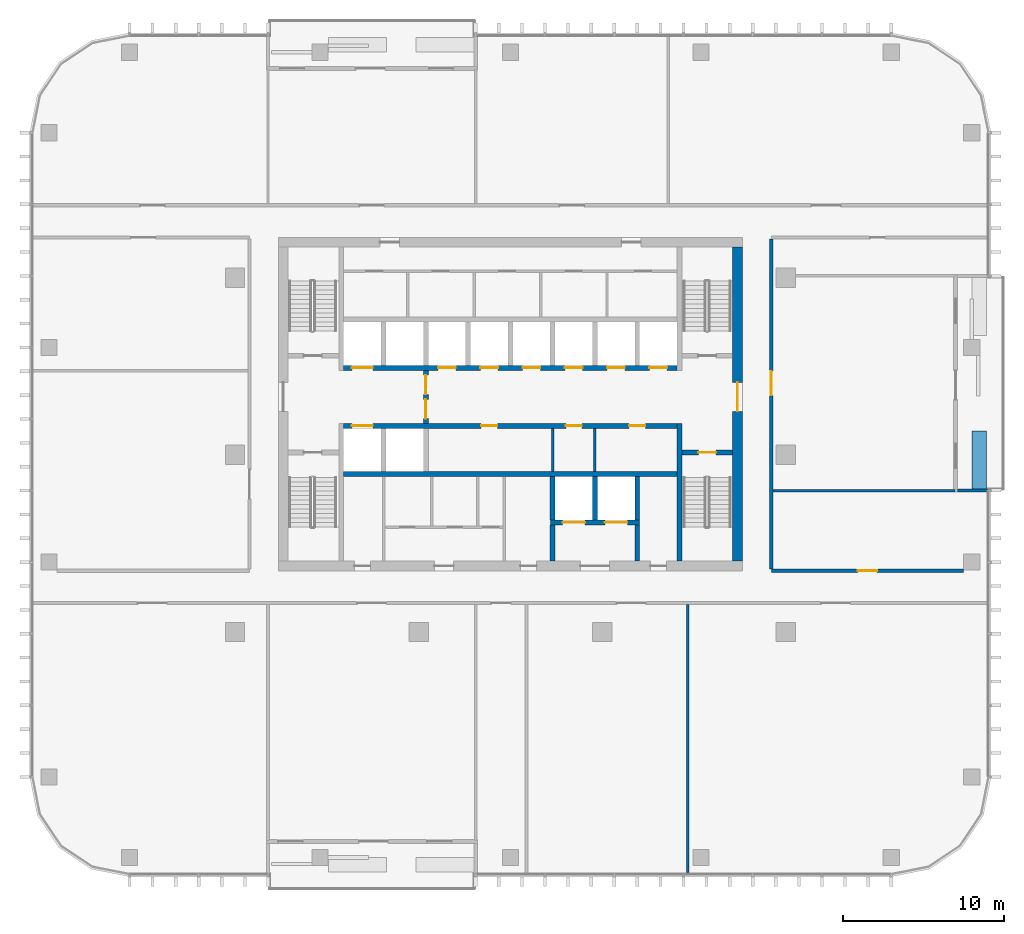
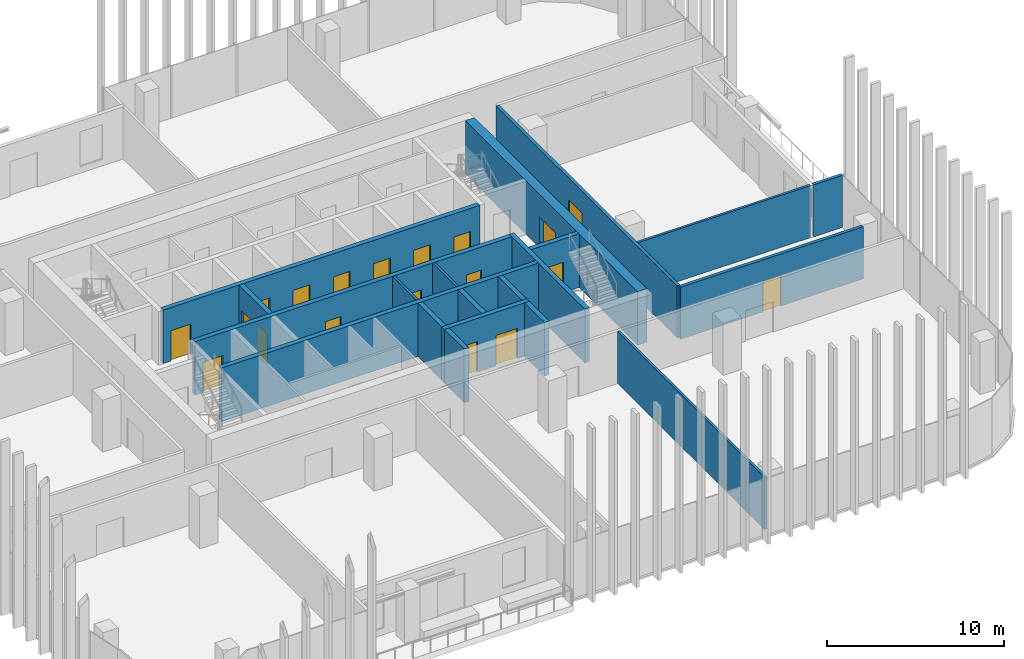
# One storey, part 8 of 16: 21 walls, 19 doors, 19 openings.
"""IFC4 building model written with IfcOpenShell, lengths in metres."""

from ifc_helpers import new_model, si_unit, direction, frame, frame_2d, origin, place, context, subcontext, project, spatial, rectangle, extrude, material, layer, layer_set, type_object, element, fill, save


model = new_model("IFC4")

# Units and contexts
model_context = context("Model", 3, precision=1e-05, world=origin(), true_north=direction((0.0, 1.0)))
body_context = subcontext(model_context, "Body", "Model", "MODEL_VIEW")
ifc_project = project(units=[si_unit("LENGTHUNIT", "METRE"), si_unit("AREAUNIT", "SQUARE_METRE"), si_unit("VOLUMEUNIT", "CUBIC_METRE"), si_unit("PLANEANGLEUNIT", "RADIAN"), si_unit("MASSUNIT", "GRAM", prefix="KILO")], contexts=[model_context])

# Site, building, storey
site_placement = place(None, origin())
site = spatial("IfcSite", under=ifc_project, at=site_placement, CompositionType="ELEMENT")
building_placement = place(site_placement, origin())
building = spatial("IfcBuilding", under=site, at=building_placement, Name="Mopane Tessera Tower", CompositionType="ELEMENT")
storey_placement = place(building_placement, frame((0.0, 0.0, 291.39990234375)))
storey = spatial("IfcBuildingStorey", under=building, at=storey_placement, Name="L63", CompositionType="ELEMENT", Elevation=291.39990234375)

# Walls
ifc_material_1 = material(Name="Fire-rated gypsum board partition")
ifc_layer_1 = layer(ifc_material_1, 0.14990234375)
ifc_layer_set_1 = layer_set([ifc_layer_1], Name="Fire-rated gypsum board partition")
wall_type_1 = type_object("IfcWallType", Name="Core room partition 150 mm", PredefinedType="PARTITIONING", material=ifc_layer_set_1)
for number, where, z_axis, x_axis, name in (
    (1, (2.625, -1.050048828125, 0.0), (0.0, 0.0, 1.0), (0.0, 1.0, 0.0), "L63 Room partition"),
    (2, (5.25, -1.050048828125, 0.0), (0.0, 0.0, 1.0), (0.0, 1.0, 0.0), "L63 Room partition"),
):
    element("IfcWall", number, at=place(storey_placement, frame(where, z_axis=z_axis, x_axis=x_axis)), inside=storey, type_object=wall_type_1, Name=name, PredefinedType="PARTITIONING", context=body_context, shape_type="SweptSolid", body=[
        extrude(rectangle(XDim=2.699951171875, YDim=0.14990234375, at=frame_2d((1.35009765625, 0.0))), origin(), (0.0, 0.0, 1.0), 3.7001953125),
    ])

# Wall, opening, door
ifc_material_2 = material(Name="Concrete C70/85", Category="concrete")
ifc_layer_2 = layer(ifc_material_2, 0.60009765625)
ifc_layer_set_2 = layer_set([ifc_layer_2], Name="Concrete C70/85")
wall_type_2 = type_object("IfcWallType", Name="Core shear wall 600 mm", PredefinedType="SHEAR", material=ifc_layer_set_2)
wall_1_placement = place(storey_placement, frame((14.10009765625, -6.60009765625, 0.0), z_axis=(0.0, 0.0, 1.0), x_axis=(0.0, 1.0, 0.0)))
wall_1 = element("IfcWall", 3, at=wall_1_placement, inside=storey, type_object=wall_type_2, Name="L63 Core wall east", PredefinedType="SHEAR", context=body_context, shape_type="SweptSolid", body=[
    extrude(rectangle(XDim=19.5, YDim=0.60009765625, at=frame_2d((9.75, 0.0))), origin(), (0.0, 0.0, 1.0), 3.7001953125),
])
opening_1_placement = place(wall_1_placement, frame((9.300048828125, 0.0, 0.0)))
opening_1 = element("IfcOpeningElement", 4, at=opening_1_placement, cuts=wall_1, Name="Opening SD2", PredefinedType="OPENING", context=body_context, shape_type="SweptSolid", body=[
    extrude(rectangle(XDim=1.800048828125, YDim=2.10009765625, at=frame_2d((0.89990234375, 1.050048828125))), frame((0.0, 0.31201171875, 0.0), z_axis=(0.0, -1.0, 0.0), x_axis=(1.0, 0.0, 0.0)), (0.0, 0.0, 1.0), 0.6240234375),
])
ifc_material_3 = material(Name="Steel fire door", Category="steel")
door_type_1 = type_object("IfcDoorType", Name="Core entrance double door 1800 x 2100", OperationType="DOUBLE_DOOR_SINGLE_SWING", PredefinedType="DOOR", material=ifc_material_3)
door_1_placement = place(opening_1_placement, origin())
door_1 = element("IfcDoor", 5, at=door_1_placement, inside=storey, type_object=door_type_1, Name="L63 Core entrance door east", OperationType="DOUBLE_DOOR_SINGLE_SWING", OverallHeight=2.10009765625, OverallWidth=1.800048828125, PredefinedType="DOOR", context=body_context, shape_type="SweptSolid", body=[
    extrude(rectangle(XDim=1.800048828125, YDim=2.10009765625, at=frame_2d((0.89990234375, 1.050048828125))), frame((0.0, 0.02490234375, 0.0), z_axis=(0.0, -1.0, 0.0), x_axis=(1.0, 0.0, 0.0)), (0.0, 0.0, 1.0), 0.050048828125),
])
fill(opening_1, door_1)

# Wall
ifc_material_4 = material(Name="Concrete C60/75", Category="concrete")
ifc_layer_3 = layer(ifc_material_4, 0.300048828125)
ifc_layer_set_3 = layer_set([ifc_layer_3], Name="Concrete C60/75")
wall_type_3 = type_object("IfcWallType", Name="Core spine wall 300 mm", PredefinedType="SHEAR", material=ifc_layer_set_3)
wall_2_placement = place(storey_placement, frame((10.5, -6.60009765625, 0.0), z_axis=(0.0, 0.0, 1.0), x_axis=(0.0, 1.0, 0.0)))
element("IfcWall", 6, at=wall_2_placement, inside=storey, type_object=wall_type_3, Name="L63 Core spine wall", PredefinedType="SHEAR", context=body_context, shape_type="SweptSolid", body=[
    extrude(rectangle(XDim=8.550048828125, YDim=0.300048828125, at=frame_2d((4.27490234375, 0.0))), origin(), (0.0, 0.0, 1.0), 3.7001953125),
])

# Wall, opening, door
ifc_material_5 = material(Name="Gypsum board on steel studs, two layers each face, mineral wool infill", Category="steel")
ifc_layer_4 = layer(ifc_material_5, 0.199951171875)
ifc_layer_set_4 = layer_set([ifc_layer_4], Name="Gypsum board on steel studs, two layers each face, mineral wool infill")
wall_type_4 = type_object("IfcWallType", Name="Gypsum board corridor wall 200, rated EI 60", PredefinedType="PARTITIONING", material=ifc_layer_set_4)
wall_3_placement = place(storey_placement, frame((16.199951171875, -7.199951171875, 0.0), z_axis=(0.0, 0.0, 1.0), x_axis=(1.0, 0.0, 0.0)))
wall_3 = element("IfcWall", 7, at=wall_3_placement, inside=storey, type_object=wall_type_4, Name="Partition L63:002", PredefinedType="PARTITIONING", context=body_context, shape_type="SweptSolid", body=[
    extrude(rectangle(XDim=11.949951171875, YDim=0.199951171875, at=frame_2d((5.97509765625, 0.0))), origin(), (0.0, 0.0, 1.0), 3.60009765625),
])
opening_2_placement = place(wall_3_placement, frame((5.375, 0.0, 0.0)))
opening_2 = element("IfcOpeningElement", 8, at=opening_2_placement, cuts=wall_3, Name="Opening L63-08", PredefinedType="OPENING", context=body_context, shape_type="SweptSolid", body=[
    extrude(rectangle(XDim=1.199951171875, YDim=2.10009765625, at=frame_2d((0.60009765625, 1.050048828125))), frame((0.0, 0.112060546875, 0.0), z_axis=(0.0, -1.0, 0.0), x_axis=(1.0, 0.0, 0.0)), (0.0, 0.0, 1.0), 0.223876953125),
])
ifc_material_6 = material(Name="Timber veneered steel-framed fire door", Category="steel")
door_type_2 = type_object("IfcDoorType", Name="Fire door FD60 1200 x 2100", OperationType="SINGLE_SWING_LEFT", PredefinedType="DOOR", material=ifc_material_6)
door_2_placement = place(opening_2_placement, origin())
door_2 = element("IfcDoor", 9, at=door_2_placement, inside=storey, type_object=door_type_2, Name="Door L63-08", ObjectType="D15A", OperationType="SINGLE_SWING_LEFT", OverallHeight=2.10009765625, OverallWidth=1.199951171875, PredefinedType="DOOR", context=body_context, shape_type="SweptSolid", body=[
    extrude(rectangle(XDim=1.199951171875, YDim=2.10009765625, at=frame_2d((0.60009765625, 1.050048828125))), frame((0.0, 0.02490234375, 0.0), z_axis=(0.0, -1.0, 0.0), x_axis=(1.0, 0.0, 0.0)), (0.0, 0.0, 1.0), 0.050048828125),
])
fill(opening_2, door_2)

wall_4_placement = place(storey_placement, frame((16.199951171875, -7.10009765625, 0.0), z_axis=(0.0, 0.0, 1.0), x_axis=(0.0, 1.0, 0.0)))
wall_4 = element("IfcWall", 10, at=wall_4_placement, inside=storey, type_object=wall_type_4, Name="Partition L63:017", PredefinedType="PARTITIONING", context=body_context, shape_type="SweptSolid", body=[
    extrude(rectangle(XDim=20.5, YDim=0.199951171875, at=frame_2d((10.25, 0.0))), origin(), (0.0, 0.0, 1.0), 3.60009765625),
])
opening_3_placement = place(wall_4_placement, frame((10.794921875, 0.0, 0.0)))
opening_3 = element("IfcOpeningElement", 11, at=opening_3_placement, cuts=wall_4, Name="Opening L63-11", PredefinedType="OPENING", context=body_context, shape_type="SweptSolid", body=[
    extrude(rectangle(XDim=1.5, YDim=2.10009765625, at=frame_2d((0.75, 1.050048828125))), frame((0.0, 0.112060546875, 0.0), z_axis=(0.0, -1.0, 0.0), x_axis=(1.0, 0.0, 0.0)), (0.0, 0.0, 1.0), 0.223876953125),
])
ifc_material_7 = material(Name="Timber veneered steel-framed fire door", Category="steel")
door_type_3 = type_object("IfcDoorType", Name="Fire door pair FD60 1500 x 2100", OperationType="DOUBLE_DOOR_SINGLE_SWING", PredefinedType="DOOR", material=ifc_material_7)
door_3_placement = place(opening_3_placement, origin())
door_3 = element("IfcDoor", 12, at=door_3_placement, inside=storey, type_object=door_type_3, Name="Door L63-11", ObjectType="D17A", OperationType="DOUBLE_DOOR_SINGLE_SWING", OverallHeight=2.10009765625, OverallWidth=1.5, PredefinedType="DOOR", context=body_context, shape_type="SweptSolid", body=[
    extrude(rectangle(XDim=1.5, YDim=2.10009765625, at=frame_2d((0.75, 1.050048828125))), frame((0.0, 0.02490234375, 0.0), z_axis=(0.0, -1.0, 0.0), x_axis=(1.0, 0.0, 0.0)), (0.0, 0.0, 1.0), 0.050048828125),
])
fill(opening_3, door_3)

# Walls
ifc_material_8 = material(Name="Gypsum board on steel studs, mineral wool infill", Category="steel")
ifc_layer_5 = layer(ifc_material_8, 0.14990234375)
ifc_layer_set_5 = layer_set([ifc_layer_5], Name="Gypsum board on steel studs, mineral wool infill")
wall_type_5 = type_object("IfcWallType", Name="Gypsum board partition 150, rated EI 60", PredefinedType="PARTITIONING", material=ifc_layer_set_5)
wall_5_placement = place(storey_placement, frame((16.300048828125, -2.219970703125, 0.0), z_axis=(0.0, 0.0, 1.0), x_axis=(1.0, 0.0, 0.0)))
element("IfcWall", 13, at=wall_5_placement, inside=storey, type_object=wall_type_5, Name="Partition L63:003", PredefinedType="PARTITIONING", context=body_context, shape_type="SweptSolid", body=[
    extrude(rectangle(XDim=11.300048828125, YDim=0.14990234375, at=frame_2d((5.64990234375, 0.0))), origin(), (0.0, 0.0, 1.0), 3.60009765625),
])
wall_6_placement = place(storey_placement, frame((11.010009765625, -25.949951171875, 0.0), z_axis=(0.0, 0.0, 1.0), x_axis=(0.0, 1.0, 0.0)))
element("IfcWall", 14, at=wall_6_placement, inside=storey, type_object=wall_type_5, Name="Partition L63:016", PredefinedType="PARTITIONING", context=body_context, shape_type="SweptSolid", body=[
    extrude(rectangle(XDim=16.64990234375, YDim=0.14990234375, at=frame_2d((8.324951171875, 0.0))), origin(), (0.0, 0.0, 1.0), 3.60009765625),
])

# Wall, opening, door
ifc_material_9 = material(Name="Concrete C50/60", Category="concrete")
ifc_layer_6 = layer(ifc_material_9, 0.300048828125)
ifc_layer_set_6 = layer_set([ifc_layer_6], Name="Concrete C50/60")
wall_type_6 = type_object("IfcWallType", Name="Lift and stair shaft wall 300 mm", PredefinedType="SOLIDWALL", material=ifc_layer_set_6)
wall_7_placement = place(storey_placement, frame((10.64990234375, 0.14990234375, 0.0), z_axis=(0.0, 0.0, 1.0), x_axis=(1.0, 0.0, 0.0)))
wall_7 = element("IfcWall", 15, at=wall_7_placement, inside=storey, type_object=wall_type_6, Name="L63 Stair enclosure wall", PredefinedType="SOLIDWALL", context=body_context, shape_type="SweptSolid", body=[
    extrude(rectangle(XDim=3.150146484375, YDim=0.300048828125, at=frame_2d((1.5751953125, 0.0))), origin(), (0.0, 0.0, 1.0), 3.7001953125),
])
opening_4_placement = place(wall_7_placement, frame((1.02490234375, 0.0, 0.0)))
opening_4 = element("IfcOpeningElement", 16, at=opening_4_placement, cuts=wall_7, Name="Opening SD1", PredefinedType="OPENING", context=body_context, shape_type="SweptSolid", body=[
    extrude(rectangle(XDim=1.10009765625, YDim=2.10009765625, at=frame_2d((0.550048828125, 1.050048828125))), frame((0.0, 0.162109375, 0.0), z_axis=(0.0, -1.0, 0.0), x_axis=(1.0, 0.0, 0.0)), (0.0, 0.0, 1.0), 0.323974609375),
])
ifc_material_10 = material(Name="Steel fire door", Category="steel")
door_type_4 = type_object("IfcDoorType", Name="Stair fire door 1100 x 2100", OperationType="SINGLE_SWING_LEFT", PredefinedType="DOOR", material=ifc_material_10)
door_4_placement = place(opening_4_placement, origin())
door_4 = element("IfcDoor", 17, at=door_4_placement, inside=storey, type_object=door_type_4, Name="L63 Stair door ST3", OperationType="SINGLE_SWING_RIGHT", OverallHeight=2.10009765625, OverallWidth=1.10009765625, PredefinedType="DOOR", context=body_context, shape_type="SweptSolid", body=[
    extrude(rectangle(XDim=1.10009765625, YDim=2.10009765625, at=frame_2d((0.550048828125, 1.050048828125))), frame((0.0, 0.02490234375, 0.0), z_axis=(0.0, -1.0, 0.0), x_axis=(1.0, 0.0, 0.0)), (0.0, 0.0, 1.0), 0.050048828125),
])
fill(opening_4, door_4)

# Wall
wall_8_placement = place(storey_placement, frame((-10.35009765625, -1.199951171875, 0.0), z_axis=(0.0, 0.0, 1.0), x_axis=(1.0, 0.0, 0.0)))
element("IfcWall", 18, at=wall_8_placement, inside=storey, type_object=wall_type_6, Name="L63 Lift shaft rear wall", PredefinedType="SOLIDWALL", context=body_context, shape_type="SweptSolid", body=[
    extrude(rectangle(XDim=20.7001953125, YDim=0.300048828125, at=frame_2d((10.35009765625, 0.0))), origin(), (0.0, 0.0, 1.0), 3.7001953125),
])

# Wall, openings, doors
wall_9_placement = place(storey_placement, frame((-10.35009765625, 1.800048828125, 0.0), z_axis=(0.0, 0.0, 1.0), x_axis=(1.0, 0.0, 0.0)))
wall_9 = element("IfcWall", 19, at=wall_9_placement, inside=storey, type_object=wall_type_6, Name="L63 Lift shaft front wall", PredefinedType="SOLIDWALL", context=body_context, shape_type="SweptSolid", body=[
    extrude(rectangle(XDim=20.7001953125, YDim=0.300048828125, at=frame_2d((10.35009765625, 0.0))), origin(), (0.0, 0.0, 1.0), 3.7001953125),
])
opening_5_placement = place(wall_9_placement, frame((0.512451171875, 0.0, 0.0)))
opening_5 = element("IfcOpeningElement", 20, at=opening_5_placement, cuts=wall_9, Name="Opening LD2", PredefinedType="OPENING", context=body_context, shape_type="SweptSolid", body=[
    extrude(rectangle(XDim=1.300048828125, YDim=2.10009765625, at=frame_2d((0.64990234375, 1.050048828125))), frame((0.0, 0.162109375, 0.0), z_axis=(0.0, -1.0, 0.0), x_axis=(1.0, 0.0, 0.0)), (0.0, 0.0, 1.0), 0.323974609375),
])
opening_6_placement = place(wall_9_placement, frame((8.53759765625, 0.0, 0.0)))
opening_6 = element("IfcOpeningElement", 21, at=opening_6_placement, cuts=wall_9, Name="Opening RD1", PredefinedType="OPENING", context=body_context, shape_type="SweptSolid", body=[
    extrude(rectangle(XDim=1.0, YDim=2.10009765625, at=frame_2d((0.5, 1.050048828125))), frame((0.0, 0.162109375, 0.0), z_axis=(0.0, -1.0, 0.0), x_axis=(1.0, 0.0, 0.0)), (0.0, 0.0, 1.0), 0.323974609375),
])
opening_7_placement = place(wall_9_placement, frame((13.78759765625, 0.0, 0.0)))
opening_7 = element("IfcOpeningElement", 22, at=opening_7_placement, cuts=wall_9, Name="Opening RD1", PredefinedType="OPENING", context=body_context, shape_type="SweptSolid", body=[
    extrude(rectangle(XDim=1.0, YDim=2.10009765625, at=frame_2d((0.5, 1.050048828125))), frame((0.0, 0.162109375, 0.0), z_axis=(0.0, -1.0, 0.0), x_axis=(1.0, 0.0, 0.0)), (0.0, 0.0, 1.0), 0.323974609375),
])
opening_8_placement = place(wall_9_placement, frame((17.72509765625, 0.0, 0.0)))
opening_8 = element("IfcOpeningElement", 23, at=opening_8_placement, cuts=wall_9, Name="Opening RD1", PredefinedType="OPENING", context=body_context, shape_type="SweptSolid", body=[
    extrude(rectangle(XDim=1.0, YDim=2.10009765625, at=frame_2d((0.5, 1.050048828125))), frame((0.0, 0.162109375, 0.0), z_axis=(0.0, -1.0, 0.0), x_axis=(1.0, 0.0, 0.0)), (0.0, 0.0, 1.0), 0.323974609375),
])
ifc_material_11 = material(Name="Timber door", Category="wood")
door_type_5 = type_object("IfcDoorType", Name="Core room door 1000 x 2100", OperationType="SINGLE_SWING_LEFT", PredefinedType="DOOR", material=ifc_material_11)
door_5_placement = place(opening_6_placement, origin())
door_5 = element("IfcDoor", 24, at=door_5_placement, inside=storey, type_object=door_type_5, Name="L63 Room door", OperationType="SINGLE_SWING_LEFT", OverallHeight=2.10009765625, OverallWidth=1.0, PredefinedType="DOOR", context=body_context, shape_type="SweptSolid", body=[
    extrude(rectangle(XDim=1.0, YDim=2.10009765625, at=frame_2d((0.5, 1.050048828125))), frame((0.0, 0.02490234375, 0.0), z_axis=(0.0, -1.0, 0.0), x_axis=(1.0, 0.0, 0.0)), (0.0, 0.0, 1.0), 0.050048828125),
])
fill(opening_6, door_5)
door_6_placement = place(opening_7_placement, origin())
door_6 = element("IfcDoor", 25, at=door_6_placement, inside=storey, type_object=door_type_5, Name="L63 Room door", OperationType="SINGLE_SWING_LEFT", OverallHeight=2.10009765625, OverallWidth=1.0, PredefinedType="DOOR", context=body_context, shape_type="SweptSolid", body=[
    extrude(rectangle(XDim=1.0, YDim=2.10009765625, at=frame_2d((0.5, 1.050048828125))), frame((0.0, 0.02490234375, 0.0), z_axis=(0.0, -1.0, 0.0), x_axis=(1.0, 0.0, 0.0)), (0.0, 0.0, 1.0), 0.050048828125),
])
fill(opening_7, door_6)
door_7_placement = place(opening_8_placement, origin())
door_7 = element("IfcDoor", 26, at=door_7_placement, inside=storey, type_object=door_type_5, Name="L63 Room door", OperationType="SINGLE_SWING_LEFT", OverallHeight=2.10009765625, OverallWidth=1.0, PredefinedType="DOOR", context=body_context, shape_type="SweptSolid", body=[
    extrude(rectangle(XDim=1.0, YDim=2.10009765625, at=frame_2d((0.5, 1.050048828125))), frame((0.0, 0.02490234375, 0.0), z_axis=(0.0, -1.0, 0.0), x_axis=(1.0, 0.0, 0.0)), (0.0, 0.0, 1.0), 0.050048828125),
])
fill(opening_8, door_7)
ifc_material_12 = material(Name="Stainless steel sliding door", Category="steel")
door_type_6 = type_object("IfcDoorType", Name="Fire-fighting lift landing door 1300 x 2100", OperationType="DOUBLE_DOOR_SLIDING", PredefinedType="DOOR", material=ifc_material_12)
door_8_placement = place(opening_5_placement, origin())
door_8 = element("IfcDoor", 27, at=door_8_placement, inside=storey, type_object=door_type_6, Name="L63 Lift landing door FF1", OperationType="DOUBLE_DOOR_SLIDING", OverallHeight=2.10009765625, OverallWidth=1.300048828125, PredefinedType="DOOR", context=body_context, shape_type="SweptSolid", body=[
    extrude(rectangle(XDim=1.300048828125, YDim=2.10009765625, at=frame_2d((0.64990234375, 1.050048828125))), frame((0.0, 0.02490234375, 0.0), z_axis=(0.0, -1.0, 0.0), x_axis=(1.0, 0.0, 0.0)), (0.0, 0.0, 1.0), 0.050048828125),
])
fill(opening_5, door_8)

wall_10_placement = place(storey_placement, frame((-10.35009765625, 5.39990234375, 0.0), z_axis=(0.0, 0.0, 1.0), x_axis=(1.0, 0.0, 0.0)))
wall_10 = element("IfcWall", 28, at=wall_10_placement, inside=storey, type_object=wall_type_6, Name="L63 Lift shaft front wall", PredefinedType="SOLIDWALL", context=body_context, shape_type="SweptSolid", body=[
    extrude(rectangle(XDim=20.7001953125, YDim=0.300048828125, at=frame_2d((10.35009765625, 0.0))), origin(), (0.0, 0.0, 1.0), 3.7001953125),
])
opening_9_placement = place(wall_10_placement, frame((0.512451171875, 0.0, 0.0)))
opening_9 = element("IfcOpeningElement", 29, at=opening_9_placement, cuts=wall_10, Name="Opening LD2", PredefinedType="OPENING", context=body_context, shape_type="SweptSolid", body=[
    extrude(rectangle(XDim=1.300048828125, YDim=2.10009765625, at=frame_2d((0.64990234375, 1.050048828125))), frame((0.0, 0.162109375, 0.0), z_axis=(0.0, -1.0, 0.0), x_axis=(1.0, 0.0, 0.0)), (0.0, 0.0, 1.0), 0.323974609375),
])
opening_10_placement = place(wall_10_placement, frame((5.862548828125, 0.0, 0.0)))
opening_10 = element("IfcOpeningElement", 30, at=opening_10_placement, cuts=wall_10, Name="Opening LD", PredefinedType="OPENING", context=body_context, shape_type="SweptSolid", body=[
    extrude(rectangle(XDim=1.10009765625, YDim=2.10009765625, at=frame_2d((0.550048828125, 1.050048828125))), frame((0.0, 0.162109375, 0.0), z_axis=(0.0, -1.0, 0.0), x_axis=(1.0, 0.0, 0.0)), (0.0, 0.0, 1.0), 0.323974609375),
])
opening_11_placement = place(wall_10_placement, frame((8.487548828125, 0.0, 0.0)))
opening_11 = element("IfcOpeningElement", 31, at=opening_11_placement, cuts=wall_10, Name="Opening LD", PredefinedType="OPENING", context=body_context, shape_type="SweptSolid", body=[
    extrude(rectangle(XDim=1.10009765625, YDim=2.10009765625, at=frame_2d((0.550048828125, 1.050048828125))), frame((0.0, 0.162109375, 0.0), z_axis=(0.0, -1.0, 0.0), x_axis=(1.0, 0.0, 0.0)), (0.0, 0.0, 1.0), 0.323974609375),
])
opening_12_placement = place(wall_10_placement, frame((11.112548828125, 0.0, 0.0)))
opening_12 = element("IfcOpeningElement", 32, at=opening_12_placement, cuts=wall_10, Name="Opening LD", PredefinedType="OPENING", context=body_context, shape_type="SweptSolid", body=[
    extrude(rectangle(XDim=1.10009765625, YDim=2.10009765625, at=frame_2d((0.550048828125, 1.050048828125))), frame((0.0, 0.162109375, 0.0), z_axis=(0.0, -1.0, 0.0), x_axis=(1.0, 0.0, 0.0)), (0.0, 0.0, 1.0), 0.323974609375),
])
opening_13_placement = place(wall_10_placement, frame((13.737548828125, 0.0, 0.0)))
opening_13 = element("IfcOpeningElement", 33, at=opening_13_placement, cuts=wall_10, Name="Opening LD", PredefinedType="OPENING", context=body_context, shape_type="SweptSolid", body=[
    extrude(rectangle(XDim=1.10009765625, YDim=2.10009765625, at=frame_2d((0.550048828125, 1.050048828125))), frame((0.0, 0.162109375, 0.0), z_axis=(0.0, -1.0, 0.0), x_axis=(1.0, 0.0, 0.0)), (0.0, 0.0, 1.0), 0.323974609375),
])
opening_14_placement = place(wall_10_placement, frame((16.362548828125, 0.0, 0.0)))
opening_14 = element("IfcOpeningElement", 34, at=opening_14_placement, cuts=wall_10, Name="Opening LD", PredefinedType="OPENING", context=body_context, shape_type="SweptSolid", body=[
    extrude(rectangle(XDim=1.10009765625, YDim=2.10009765625, at=frame_2d((0.550048828125, 1.050048828125))), frame((0.0, 0.162109375, 0.0), z_axis=(0.0, -1.0, 0.0), x_axis=(1.0, 0.0, 0.0)), (0.0, 0.0, 1.0), 0.323974609375),
])
opening_15_placement = place(wall_10_placement, frame((18.987548828125, 0.0, 0.0)))
opening_15 = element("IfcOpeningElement", 35, at=opening_15_placement, cuts=wall_10, Name="Opening LD", PredefinedType="OPENING", context=body_context, shape_type="SweptSolid", body=[
    extrude(rectangle(XDim=1.10009765625, YDim=2.10009765625, at=frame_2d((0.550048828125, 1.050048828125))), frame((0.0, 0.162109375, 0.0), z_axis=(0.0, -1.0, 0.0), x_axis=(1.0, 0.0, 0.0)), (0.0, 0.0, 1.0), 0.323974609375),
])
door_9_placement = place(opening_9_placement, origin())
door_9 = element("IfcDoor", 36, at=door_9_placement, inside=storey, type_object=door_type_6, Name="L63 Lift landing door FF2", OperationType="DOUBLE_DOOR_SLIDING", OverallHeight=2.10009765625, OverallWidth=1.300048828125, PredefinedType="DOOR", context=body_context, shape_type="SweptSolid", body=[
    extrude(rectangle(XDim=1.300048828125, YDim=2.10009765625, at=frame_2d((0.64990234375, 1.050048828125))), frame((0.0, 0.02490234375, 0.0), z_axis=(0.0, -1.0, 0.0), x_axis=(1.0, 0.0, 0.0)), (0.0, 0.0, 1.0), 0.050048828125),
])
fill(opening_9, door_9)
ifc_material_13 = material(Name="Stainless steel sliding door", Category="steel")
door_type_7 = type_object("IfcDoorType", Name="Lift landing door 1100 x 2100", OperationType="DOUBLE_DOOR_SLIDING", PredefinedType="DOOR", material=ifc_material_13)
door_10_placement = place(opening_10_placement, origin())
door_10 = element("IfcDoor", 37, at=door_10_placement, inside=storey, type_object=door_type_7, Name="L63 Lift landing door HR1", OperationType="DOUBLE_DOOR_SLIDING", OverallHeight=2.10009765625, OverallWidth=1.10009765625, PredefinedType="DOOR", context=body_context, shape_type="SweptSolid", body=[
    extrude(rectangle(XDim=1.10009765625, YDim=2.10009765625, at=frame_2d((0.550048828125, 1.050048828125))), frame((0.0, 0.02490234375, 0.0), z_axis=(0.0, -1.0, 0.0), x_axis=(1.0, 0.0, 0.0)), (0.0, 0.0, 1.0), 0.050048828125),
])
fill(opening_10, door_10)
door_11_placement = place(opening_11_placement, origin())
door_11 = element("IfcDoor", 38, at=door_11_placement, inside=storey, type_object=door_type_7, Name="L63 Lift landing door HR2", OperationType="DOUBLE_DOOR_SLIDING", OverallHeight=2.10009765625, OverallWidth=1.10009765625, PredefinedType="DOOR", context=body_context, shape_type="SweptSolid", body=[
    extrude(rectangle(XDim=1.10009765625, YDim=2.10009765625, at=frame_2d((0.550048828125, 1.050048828125))), frame((0.0, 0.02490234375, 0.0), z_axis=(0.0, -1.0, 0.0), x_axis=(1.0, 0.0, 0.0)), (0.0, 0.0, 1.0), 0.050048828125),
])
fill(opening_11, door_11)
door_12_placement = place(opening_12_placement, origin())
door_12 = element("IfcDoor", 39, at=door_12_placement, inside=storey, type_object=door_type_7, Name="L63 Lift landing door HR3", OperationType="DOUBLE_DOOR_SLIDING", OverallHeight=2.10009765625, OverallWidth=1.10009765625, PredefinedType="DOOR", context=body_context, shape_type="SweptSolid", body=[
    extrude(rectangle(XDim=1.10009765625, YDim=2.10009765625, at=frame_2d((0.550048828125, 1.050048828125))), frame((0.0, 0.02490234375, 0.0), z_axis=(0.0, -1.0, 0.0), x_axis=(1.0, 0.0, 0.0)), (0.0, 0.0, 1.0), 0.050048828125),
])
fill(opening_12, door_12)
door_13_placement = place(opening_13_placement, origin())
door_13 = element("IfcDoor", 40, at=door_13_placement, inside=storey, type_object=door_type_7, Name="L63 Lift landing door HR4", OperationType="DOUBLE_DOOR_SLIDING", OverallHeight=2.10009765625, OverallWidth=1.10009765625, PredefinedType="DOOR", context=body_context, shape_type="SweptSolid", body=[
    extrude(rectangle(XDim=1.10009765625, YDim=2.10009765625, at=frame_2d((0.550048828125, 1.050048828125))), frame((0.0, 0.02490234375, 0.0), z_axis=(0.0, -1.0, 0.0), x_axis=(1.0, 0.0, 0.0)), (0.0, 0.0, 1.0), 0.050048828125),
])
fill(opening_13, door_13)
door_14_placement = place(opening_14_placement, origin())
door_14 = element("IfcDoor", 41, at=door_14_placement, inside=storey, type_object=door_type_7, Name="L63 Lift landing door HR5", OperationType="DOUBLE_DOOR_SLIDING", OverallHeight=2.10009765625, OverallWidth=1.10009765625, PredefinedType="DOOR", context=body_context, shape_type="SweptSolid", body=[
    extrude(rectangle(XDim=1.10009765625, YDim=2.10009765625, at=frame_2d((0.550048828125, 1.050048828125))), frame((0.0, 0.02490234375, 0.0), z_axis=(0.0, -1.0, 0.0), x_axis=(1.0, 0.0, 0.0)), (0.0, 0.0, 1.0), 0.050048828125),
])
fill(opening_14, door_14)
door_15_placement = place(opening_15_placement, origin())
door_15 = element("IfcDoor", 42, at=door_15_placement, inside=storey, type_object=door_type_7, Name="L63 Lift landing door HR6", OperationType="DOUBLE_DOOR_SLIDING", OverallHeight=2.10009765625, OverallWidth=1.10009765625, PredefinedType="DOOR", context=body_context, shape_type="SweptSolid", body=[
    extrude(rectangle(XDim=1.10009765625, YDim=2.10009765625, at=frame_2d((0.550048828125, 1.050048828125))), frame((0.0, 0.02490234375, 0.0), z_axis=(0.0, -1.0, 0.0), x_axis=(1.0, 0.0, 0.0)), (0.0, 0.0, 1.0), 0.050048828125),
])
fill(opening_15, door_15)

wall_11_placement = place(storey_placement, frame((2.47509765625, -4.199951171875, 0.0), z_axis=(0.0, 0.0, 1.0), x_axis=(1.0, 0.0, 0.0)))
wall_11 = element("IfcWall", 43, at=wall_11_placement, inside=storey, type_object=wall_type_6, Name="L63 Lift shaft front wall", PredefinedType="SOLIDWALL", context=body_context, shape_type="SweptSolid", body=[
    extrude(rectangle(XDim=5.5498046875, YDim=0.300048828125, at=frame_2d((2.77490234375, 0.0))), origin(), (0.0, 0.0, 1.0), 3.7001953125),
])
opening_16_placement = place(wall_11_placement, frame((0.762451171875, 0.0, 0.0)))
opening_16 = element("IfcOpeningElement", 44, at=opening_16_placement, cuts=wall_11, Name="Opening LD3", PredefinedType="OPENING", context=body_context, shape_type="SweptSolid", body=[
    extrude(rectangle(XDim=1.39990234375, YDim=2.10009765625, at=frame_2d((0.699951171875, 1.050048828125))), frame((0.0, 0.162109375, 0.0), z_axis=(0.0, -1.0, 0.0), x_axis=(1.0, 0.0, 0.0)), (0.0, 0.0, 1.0), 0.323974609375),
])
opening_17_placement = place(wall_11_placement, frame((3.387451171875, 0.0, 0.0)))
opening_17 = element("IfcOpeningElement", 45, at=opening_17_placement, cuts=wall_11, Name="Opening LD3", PredefinedType="OPENING", context=body_context, shape_type="SweptSolid", body=[
    extrude(rectangle(XDim=1.39990234375, YDim=2.10009765625, at=frame_2d((0.699951171875, 1.050048828125))), frame((0.0, 0.162109375, 0.0), z_axis=(0.0, -1.0, 0.0), x_axis=(1.0, 0.0, 0.0)), (0.0, 0.0, 1.0), 0.323974609375),
])
ifc_material_14 = material(Name="Stainless steel sliding door", Category="steel")
door_type_8 = type_object("IfcDoorType", Name="Service lift landing door 1400 x 2100", OperationType="DOUBLE_DOOR_SLIDING", PredefinedType="DOOR", material=ifc_material_14)
door_16_placement = place(opening_16_placement, origin())
door_16 = element("IfcDoor", 46, at=door_16_placement, inside=storey, type_object=door_type_8, Name="L63 Lift landing door SV1", OperationType="DOUBLE_DOOR_SLIDING", OverallHeight=2.10009765625, OverallWidth=1.39990234375, PredefinedType="DOOR", context=body_context, shape_type="SweptSolid", body=[
    extrude(rectangle(XDim=1.39990234375, YDim=2.10009765625, at=frame_2d((0.699951171875, 1.050048828125))), frame((0.0, 0.02490234375, 0.0), z_axis=(0.0, -1.0, 0.0), x_axis=(1.0, 0.0, 0.0)), (0.0, 0.0, 1.0), 0.050048828125),
])
fill(opening_16, door_16)
door_17_placement = place(opening_17_placement, origin())
door_17 = element("IfcDoor", 47, at=door_17_placement, inside=storey, type_object=door_type_8, Name="L63 Lift landing door SV2", OperationType="DOUBLE_DOOR_SLIDING", OverallHeight=2.10009765625, OverallWidth=1.39990234375, PredefinedType="DOOR", context=body_context, shape_type="SweptSolid", body=[
    extrude(rectangle(XDim=1.39990234375, YDim=2.10009765625, at=frame_2d((0.699951171875, 1.050048828125))), frame((0.0, 0.02490234375, 0.0), z_axis=(0.0, -1.0, 0.0), x_axis=(1.0, 0.0, 0.0)), (0.0, 0.0, 1.0), 0.050048828125),
])
fill(opening_17, door_17)

# Walls
for number, where, z_axis, x_axis, name in (
    (48, (2.625, -4.050048828125, 0.0), (0.0, 0.0, 1.0), (0.0, 1.0, 0.0), "L63 Lift shaft wall"),
    (49, (5.25, -4.050048828125, 0.0), (0.0, 0.0, 1.0), (0.0, 1.0, 0.0), "L63 Lift shaft wall"),
    (50, (7.875, -4.050048828125, 0.0), (0.0, 0.0, 1.0), (0.0, 1.0, 0.0), "L63 Lift shaft wall"),
):
    element("IfcWall", number, at=place(storey_placement, frame(where, z_axis=z_axis, x_axis=x_axis)), inside=storey, type_object=wall_type_6, Name=name, PredefinedType="SOLIDWALL", context=body_context, shape_type="SweptSolid", body=[
        extrude(rectangle(XDim=2.699951171875, YDim=0.300048828125, at=frame_2d((1.35009765625, 0.0))), origin(), (0.0, 0.0, 1.0), 3.7001953125),
    ])

# Wall, openings, doors
ifc_material_15 = material(Name="Concrete C50/60", Category="concrete")
ifc_layer_7 = layer(ifc_material_15, 0.300048828125)
ifc_layer_set_7 = layer_set([ifc_layer_7], Name="Concrete C50/60")
wall_type_7 = type_object("IfcWallType", Name="Lobby and refuge room wall 300 mm", PredefinedType="SOLIDWALL", material=ifc_layer_set_7)
wall_12_placement = place(storey_placement, frame((-5.25, 1.949951171875, 0.0), z_axis=(0.0, 0.0, 1.0), x_axis=(0.0, 1.0, 0.0)))
wall_12 = element("IfcWall", 51, at=wall_12_placement, inside=storey, type_object=wall_type_7, Name="L63 Fire-fighting lobby wall", PredefinedType="SOLIDWALL", context=body_context, shape_type="SweptSolid", body=[
    extrude(rectangle(XDim=3.300048828125, YDim=0.300048828125, at=frame_2d((1.64990234375, 0.0))), origin(), (0.0, 0.0, 1.0), 3.7001953125),
])
opening_18_placement = place(wall_12_placement, frame((0.300048828125, 0.0, 0.0)))
opening_18 = element("IfcOpeningElement", 52, at=opening_18_placement, cuts=wall_12, Name="Opening SD3", PredefinedType="OPENING", context=body_context, shape_type="SweptSolid", body=[
    extrude(rectangle(XDim=1.199951171875, YDim=2.10009765625, at=frame_2d((0.60009765625, 1.050048828125))), frame((0.0, 0.162109375, 0.0), z_axis=(0.0, -1.0, 0.0), x_axis=(1.0, 0.0, 0.0)), (0.0, 0.0, 1.0), 0.323974609375),
])
opening_19_placement = place(wall_12_placement, frame((1.800048828125, 0.0, 0.0)))
opening_19 = element("IfcOpeningElement", 53, at=opening_19_placement, cuts=wall_12, Name="Opening SD3", PredefinedType="OPENING", context=body_context, shape_type="SweptSolid", body=[
    extrude(rectangle(XDim=1.199951171875, YDim=2.10009765625, at=frame_2d((0.60009765625, 1.050048828125))), frame((0.0, 0.162109375, 0.0), z_axis=(0.0, -1.0, 0.0), x_axis=(1.0, 0.0, 0.0)), (0.0, 0.0, 1.0), 0.323974609375),
])
ifc_material_16 = material(Name="Steel fire door", Category="steel")
door_type_9 = type_object("IfcDoorType", Name="Lobby fire door 1200 x 2100", OperationType="SINGLE_SWING_LEFT", PredefinedType="DOOR", material=ifc_material_16)
door_18_placement = place(opening_18_placement, origin())
door_18 = element("IfcDoor", 54, at=door_18_placement, inside=storey, type_object=door_type_9, Name="L63 Fire-fighting lobby door", OperationType="SINGLE_SWING_LEFT", OverallHeight=2.10009765625, OverallWidth=1.199951171875, PredefinedType="DOOR", context=body_context, shape_type="SweptSolid", body=[
    extrude(rectangle(XDim=1.199951171875, YDim=2.10009765625, at=frame_2d((0.60009765625, 1.050048828125))), frame((0.0, 0.02490234375, 0.0), z_axis=(0.0, -1.0, 0.0), x_axis=(1.0, 0.0, 0.0)), (0.0, 0.0, 1.0), 0.050048828125),
])
fill(opening_18, door_18)
door_19_placement = place(opening_19_placement, origin())
door_19 = element("IfcDoor", 55, at=door_19_placement, inside=storey, type_object=door_type_9, Name="L63 Fire-fighting lobby door", OperationType="SINGLE_SWING_RIGHT", OverallHeight=2.10009765625, OverallWidth=1.199951171875, PredefinedType="DOOR", context=body_context, shape_type="SweptSolid", body=[
    extrude(rectangle(XDim=1.199951171875, YDim=2.10009765625, at=frame_2d((0.60009765625, 1.050048828125))), frame((0.0, 0.02490234375, 0.0), z_axis=(0.0, -1.0, 0.0), x_axis=(1.0, 0.0, 0.0)), (0.0, 0.0, 1.0), 0.050048828125),
])
fill(opening_19, door_19)

# Walls
for number, where, z_axis, x_axis, name in (
    (56, (2.625, -6.60009765625, 0.0), (0.0, 0.0, 1.0), (0.0, 1.0, 0.0), "L63 Service lobby wall"),
    (57, (7.875, -6.60009765625, 0.0), (0.0, 0.0, 1.0), (0.0, 1.0, 0.0), "L63 Service lobby wall"),
):
    element("IfcWall", number, at=place(storey_placement, frame(where, z_axis=z_axis, x_axis=x_axis)), inside=storey, type_object=wall_type_7, Name=name, PredefinedType="SOLIDWALL", context=body_context, shape_type="SweptSolid", body=[
        extrude(rectangle(XDim=2.25, YDim=0.300048828125, at=frame_2d((1.125, 0.0))), origin(), (0.0, 0.0, 1.0), 3.7001953125),
    ])
ifc_material_17 = material(Name="Reinforced concrete C32/40 with waterproofing", Category="concrete")
ifc_layer_8 = layer(ifc_material_17, 0.89990234375)
ifc_layer_set_8 = layer_set([ifc_layer_8], Name="Reinforced concrete C32/40 with waterproofing")
wall_type_8 = type_object("IfcWallType", Name="Planter trough 3600 x 900", PredefinedType="STANDARD", material=ifc_layer_set_8)
wall_13_placement = place(storey_placement, frame((29.10009765625, -2.122314453125, 0.0), z_axis=(0.0, 0.0, 1.0), x_axis=(0.0, 1.0, 0.0)))
element("IfcWall", 58, at=wall_13_placement, inside=storey, type_object=wall_type_8, Name="e:nw:L63:N1:pl0", PredefinedType="STANDARD", context=body_context, shape_type="SweptSolid", body=[
    extrude(rectangle(XDim=3.60009765625, YDim=0.89990234375, at=frame_2d((1.800048828125, 0.0))), origin(), (0.0, 0.0, 1.0), 0.7001953125),
])
ifc_material_18 = material(Name="Blockwork with glazed tile facing", Category="masonry")
ifc_layer_9 = layer(ifc_material_18, 0.199951171875)
ifc_layer_set_9 = layer_set([ifc_layer_9], Name="Blockwork with glazed tile facing")
wall_type_9 = type_object("IfcWallType", Name="Terrace cheek wall 200", PredefinedType="STANDARD", material=ifc_layer_set_9)
wall_14_placement = place(storey_placement, frame((29.64990234375, -2.22216796875, 0.0), z_axis=(0.0, 0.0, 1.0), x_axis=(-1.0, 0.0, 0.0)))
element("IfcWall", 59, at=wall_14_placement, inside=storey, type_object=wall_type_9, Name="e:nw:L63:N1:cheeka", PredefinedType="STANDARD", context=body_context, shape_type="SweptSolid", body=[
    extrude(rectangle(XDim=1.875, YDim=0.199951171875, at=frame_2d((0.9375, 0.0))), origin(), (0.0, 0.0, 1.0), 3.60009765625),
])

save(model, "model.ifc")
